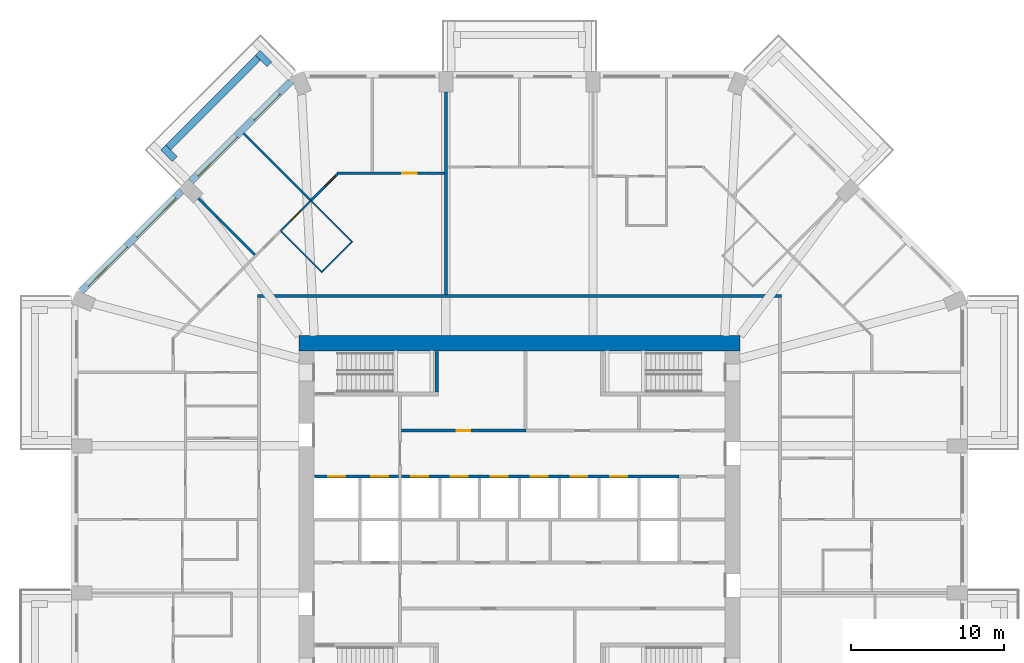
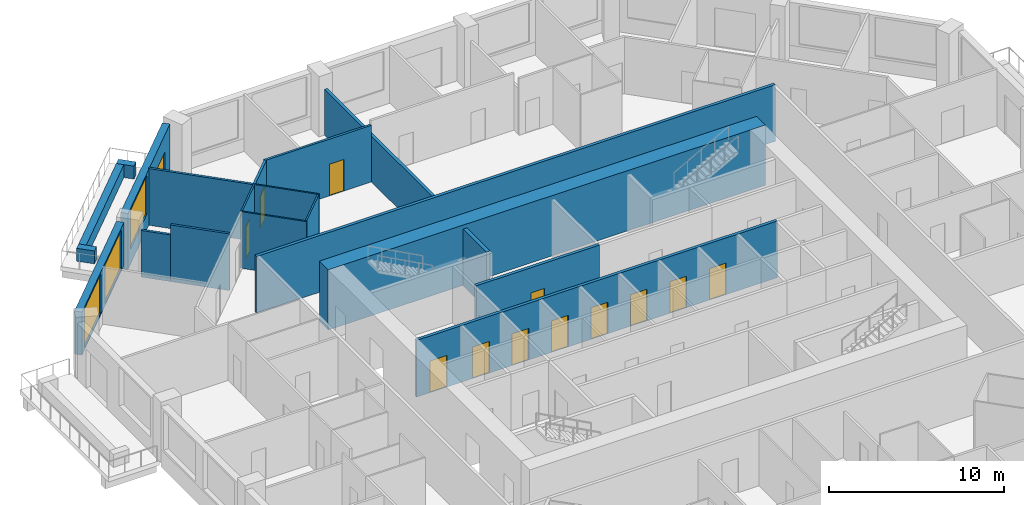
# One storey, part 8 of 13: 20 walls, 13 doors, 3 windows, 16 openings.
"""IFC4 building model written with IfcOpenShell, lengths in metres."""

import ifcopenshell
import ifcopenshell.guid

model = None  # the IFC model being written
_history = None  # IfcOwnerHistory: only IFC2X3 demands one
_inside = {}  # id of a spatial element -> (the spatial element, [elements in it])
_under = {}  # id of a project, library or spatial element -> (it, [spatial elements below it])
_declared = {}  # id of a project -> (the project, [libraries it declares])
_typed = {}  # id of a type object -> (the type object, [elements of that type])
_made_of = {}  # id of a material, layer set ... -> (it, [elements and type objects made of it])


def new_model(schema):
    """Start an empty IFC model of exactly this schema.

    Asked for "IFC4X3", IfcOpenShell would pick the latest addendum, in which some entities
    have other attributes; the version numbers below select the first issue.
    IFC2X3 requires an IfcOwnerHistory on every rooted entity: one is made here for all.
    """
    global model, _history
    if schema == "IFC4X3":
        model = ifcopenshell.file(schema_version=(4, 3, 0, 0))
    else:
        model = ifcopenshell.file(schema=schema)
    _inside.clear()
    _under.clear()
    _declared.clear()
    _typed.clear()
    _made_of.clear()
    _history = None
    if model.schema == "IFC2X3":
        org = make("IfcOrganization", Name="unknown")
        user = make(
            "IfcPersonAndOrganization",
            ThePerson=make("IfcPerson", FamilyName="unknown"),
            TheOrganization=org,
        )
        app = make(
            "IfcApplication",
            ApplicationDeveloper=org,
            Version="unknown",
            ApplicationFullName="unknown",
            ApplicationIdentifier="unknown",
        )
        _history = make(
            "IfcOwnerHistory",
            OwningUser=user,
            OwningApplication=app,
            ChangeAction="ADDED",
            CreationDate=0,
        )
    return model


def make(cls, **values):
    """One entity of the class cls with the attributes given. An attribute that is None is left unset."""
    return model.create_entity(
        cls, **{name: value for name, value in values.items() if value is not None}
    )


def rooted(cls, **values):
    """An entity with a GlobalId (a new one), such as an element, a storey or a relation."""
    return make(cls, GlobalId=ifcopenshell.guid.new(), OwnerHistory=_history, **values)


def si_unit(unit_type, name, prefix=None):
    """IfcSIUnit, for example si_unit("LENGTHUNIT", "METRE", prefix="MILLI")."""
    return make("IfcSIUnit", UnitType=unit_type, Prefix=prefix, Name=name)


def assignment(units):
    """IfcUnitAssignment: the units of a project."""
    return None if units is None else make("IfcUnitAssignment", Units=units)


def point(xyz):
    """IfcCartesianPoint."""
    return None if xyz is None else make("IfcCartesianPoint", Coordinates=xyz)


def direction(xyz):
    """IfcDirection."""
    return None if xyz is None else make("IfcDirection", DirectionRatios=xyz)


def frame(location, z_axis=None, x_axis=None):
    """IfcAxis2Placement3D, a coordinate frame: its origin and axes. An axis left out is left unset."""
    return make(
        "IfcAxis2Placement3D",
        Location=point(location),
        Axis=direction(z_axis),
        RefDirection=direction(x_axis),
    )


def frame_2d(location, x_axis=None):
    """IfcAxis2Placement2D, a coordinate frame in the plane: its origin and x axis."""
    return make(
        "IfcAxis2Placement2D", Location=point(location), RefDirection=direction(x_axis)
    )


def origin():
    """The frame at (0, 0, 0) with its axes left unset."""
    return frame((0.0, 0.0, 0.0))


def place(relative_to, where):
    """IfcLocalPlacement: puts the frame where relative to a parent placement (None: the world)."""
    return make(
        "IfcLocalPlacement", PlacementRelTo=relative_to, RelativePlacement=where
    )


def context(
    kind, dimensions, precision=None, world=None, true_north=None, identifier=None
):
    """IfcGeometricRepresentationContext, for example the 3D "Model" context."""
    return make(
        "IfcGeometricRepresentationContext",
        ContextIdentifier=identifier,
        ContextType=kind,
        CoordinateSpaceDimension=dimensions,
        Precision=precision,
        WorldCoordinateSystem=world,
        TrueNorth=true_north,
    )


def subcontext(parent, identifier, kind, view, scale=None):
    """IfcGeometricRepresentationSubContext, for example "Body" below "Model"."""
    return make(
        "IfcGeometricRepresentationSubContext",
        ContextIdentifier=identifier,
        ContextType=kind,
        ParentContext=parent,
        TargetScale=scale,
        TargetView=view,
    )


def project(units=None, contexts=None):
    """IfcProject with its units and contexts."""
    return rooted(
        "IfcProject",
        Name="project",
        RepresentationContexts=contexts,
        UnitsInContext=assignment(units),
    )


def spatial(cls, under=None, at=None, **own):
    """A site, building, storey or space (cls), placed at a placement, below another one or the project."""
    s = rooted(cls, ObjectPlacement=at, **own)
    if under is not None:
        _under.setdefault(under.id(), (under, []))[1].append(s)
    return s


def profile(cls, at=None, kind="AREA", **sizes):
    """A parametric profile (cls). Its sizes go by their IFC names, for example OverallWidth=200.0."""
    return make(cls, ProfileType=kind, Position=at, **sizes)


def rectangle(**sizes):
    """IfcRectangleProfileDef."""
    return profile("IfcRectangleProfileDef", **sizes)


def extrude(swept, where, along, depth):
    """IfcExtrudedAreaSolid: the profile swept, set in the frame where, extruded along a direction by depth."""
    return make(
        "IfcExtrudedAreaSolid",
        SweptArea=swept,
        Position=where,
        ExtrudedDirection=direction(along),
        Depth=depth,
    )


def shape(context_of_items, identifier, shape_type, items):
    """IfcShapeRepresentation: the items that make up one representation, for example the "Body"."""
    return make(
        "IfcShapeRepresentation",
        ContextOfItems=context_of_items,
        RepresentationIdentifier=identifier,
        RepresentationType=shape_type,
        Items=items,
    )


def material(Name=None, Category=None):
    """IfcMaterial."""
    return make("IfcMaterial", Name=Name, Category=Category)


def layer(
    of_material, thickness, ventilated=None, Name=None, Category=None, Priority=None
):
    """IfcMaterialLayer: one layer of a wall or slab, of a material (None: an air gap)."""
    return make(
        "IfcMaterialLayer",
        Material=of_material,
        LayerThickness=thickness,
        IsVentilated=ventilated,
        Name=Name,
        Category=Category,
        Priority=Priority,
    )


def layer_set(layers, Name=None):
    """IfcMaterialLayerSet."""
    return make("IfcMaterialLayerSet", MaterialLayers=layers, LayerSetName=Name)


def made_of(thing, what):
    """Note that an element or type object is made of a material, layer set ...; save() writes the relation."""
    if what is not None:
        _made_of.setdefault(what.id(), (what, []))[1].append(thing)
    return thing


def type_object(cls, material=None, **own):
    """A type object (cls), such as IfcWallType, which elements share."""
    return made_of(rooted(cls, **own), material)


def element(
    cls,
    number,
    at=None,
    inside=None,
    cuts=None,
    type_object=None,
    material=None,
    context=None,
    identifier="Body",
    shape_type=None,
    held_by="IfcProductDefinitionShape",
    body=None,
    shapes=None,
    **own,
):
    """One element of the class cls, such as IfcWall. Its Tag is "e" and its number.

    at: its placement. inside: the storey or other place that contains it. cuts: it is an
    opening in that element (IfcRelVoidsElement). A single representation is given by context,
    identifier, shape_type and body (its items); several are given by shapes. held_by: the class
    of the entity that holds the representations. save() writes the other relations.
    """
    e = rooted(cls, Tag="e%d" % number, ObjectPlacement=at, **own)
    if body is not None:
        shapes = [shape(context, identifier, shape_type, body)]
    if shapes is not None:
        e.Representation = make(held_by, Representations=shapes)
    if inside is not None:
        _inside.setdefault(inside.id(), (inside, []))[1].append(e)
    if cuts is not None:
        rooted(
            "IfcRelVoidsElement", RelatingBuildingElement=cuts, RelatedOpeningElement=e
        )
    if type_object is not None:
        _typed.setdefault(type_object.id(), (type_object, []))[1].append(e)
    return made_of(e, material)


def fill(opening, filler):
    """IfcRelFillsElement: the door or window that sits in an opening."""
    return rooted(
        "IfcRelFillsElement",
        RelatingOpeningElement=opening,
        RelatedBuildingElement=filler,
    )


def aggregate(whole, parts):
    """IfcRelAggregates: a whole, such as a stair, and the parts it consists of."""
    return rooted("IfcRelAggregates", RelatingObject=whole, RelatedObjects=parts)


def save(model, path):
    """Write the relations noted so far, then the file.

    IfcRelAggregates (storeys below a building ...), IfcRelContainedInSpatialStructure (elements
    in a storey), IfcRelDefinesByType, IfcRelAssociatesMaterial and IfcRelDeclares: one each for
    every whole, place, type object, material and project.
    """
    for whole, parts in _under.values():
        aggregate(whole, parts)
    for where, things in _inside.values():
        rooted(
            "IfcRelContainedInSpatialStructure",
            RelatedElements=things,
            RelatingStructure=where,
        )
    for kind, things in _typed.values():
        rooted("IfcRelDefinesByType", RelatedObjects=things, RelatingType=kind)
    for what, things in _made_of.values():
        rooted("IfcRelAssociatesMaterial", RelatedObjects=things, RelatingMaterial=what)
    for by, libraries in _declared.values():
        rooted("IfcRelDeclares", RelatingContext=by, RelatedDefinitions=libraries)
    model.write(path)


model = new_model("IFC4")

# Units and contexts
model_context = context("Model", 3, precision=1e-05, world=origin(), true_north=direction((0.0, 1.0)))
body_context = subcontext(model_context, "Body", "Model", "MODEL_VIEW")
ifc_project = project(units=[si_unit("LENGTHUNIT", "METRE"), si_unit("AREAUNIT", "SQUARE_METRE"), si_unit("VOLUMEUNIT", "CUBIC_METRE"), si_unit("PLANEANGLEUNIT", "RADIAN"), si_unit("MASSUNIT", "GRAM", prefix="KILO")], contexts=[model_context])

# Site, building, storey
site_placement = place(None, origin())
site = spatial("IfcSite", under=ifc_project, at=site_placement, CompositionType="ELEMENT")
building_placement = place(site_placement, origin())
building = spatial("IfcBuilding", under=site, at=building_placement, Name="Msitu Wima Residences", CompositionType="ELEMENT")
storey_placement = place(building_placement, frame((0.0, 0.0, 63.300048828125)))
storey = spatial("IfcBuildingStorey", under=building, at=storey_placement, Name="L14", CompositionType="ELEMENT", Elevation=63.300048828125)

# Walls
ifc_material_1 = material(Name="Facing brick")
ifc_layer_1 = layer(ifc_material_1, 0.06494140625, Name="Facing brick")
ifc_material_2 = material(Name="Concrete C40/50", Category="concrete")
ifc_layer_2 = layer(ifc_material_2, 0.156005859375, Name="Concrete C40/50")
ifc_material_3 = material(Name="Waterproofing membrane")
ifc_layer_3 = layer(ifc_material_3, 0.00390625, Name="Waterproofing membrane")
ifc_material_4 = material(Name="Planting soil and planting")
ifc_layer_4 = layer(ifc_material_4, 0.22509765625, Name="Planting soil and planting")
ifc_layer_set_1 = layer_set([ifc_layer_1, ifc_layer_2, ifc_layer_3, ifc_layer_4], Name="Concrete C40/50")
wall_type_1 = type_object("IfcWallType", Name="Balcony planter PLANTER PL450", PredefinedType="USERDEFINED", material=ifc_layer_set_1)
wall_1_placement = place(storey_placement, frame((-17.0693359375, 30.125732421875, 0.0), z_axis=(0.0, 0.0, 1.0), x_axis=(-0.707106781187, -0.707106781187, 0.0)))
element("IfcWall", 1, at=wall_1_placement, inside=storey, type_object=wall_type_1, Name="Balcony planter NW0 L14", ObjectType="PLANTER", PredefinedType="USERDEFINED", context=body_context, shape_type="SweptSolid", body=[
    extrude(rectangle(XDim=8.2822265625, YDim=0.449951171875, at=frame_2d((4.14111328125, 0.0))), origin(), (0.0, 0.0, 1.0), 0.89990234375),
])
for number, where, z_axis, x_axis, name in (
    (2, (-16.326904296875, 29.70166015625, 0.0), (0.0, 0.0, 1.0), (-0.707106781187, 0.707106781187, 0.0), "Balcony planter NW0 L14"),
    (3, (-22.50146484375, 23.52685546875, 0.0), (0.0, 0.0, 1.0), (-0.707223014731, 0.706990528533, 0.0), "Balcony planter NW0 L14"),
):
    element("IfcWall", number, at=place(storey_placement, frame(where, z_axis=z_axis, x_axis=x_axis)), inside=storey, type_object=wall_type_1, Name=name, ObjectType="PLANTER", PredefinedType="USERDEFINED", context=body_context, shape_type="SweptSolid", body=[
        extrude(rectangle(XDim=1.050048828125, YDim=0.449951171875, at=frame_2d((0.52490234375, 0.0))), origin(), (0.0, 0.0, 1.0), 0.89990234375),
    ])

# Wall, openings, door, window
ifc_material_5 = material(Name="Brick (red buff mix)", Category="masonry")
ifc_layer_5 = layer(ifc_material_5, 0.449951171875)
ifc_layer_set_2 = layer_set([ifc_layer_5], Name="Brick (red buff mix)")
wall_type_2 = type_object("IfcWallType", Name="Brick infill wall BW450", PredefinedType="SOLIDWALL", material=ifc_layer_set_2)
wall_2_placement = place(storey_placement, frame((-14.903564453125, 28.61474609375, 0.0), z_axis=(0.0, 0.0, 1.0), x_axis=(-0.707106781187, -0.707106781187, 0.0)))
wall_2 = element("IfcWall", 4, at=wall_2_placement, inside=storey, type_object=wall_type_2, Name="Brick infill wall L14 NW0", PredefinedType="SOLIDWALL", context=body_context, shape_type="SweptSolid", body=[
    extrude(rectangle(XDim=9.2451171875, YDim=0.449951171875, at=frame_2d((4.62255859375, 0.0))), origin(), (0.0, 0.0, 1.0), 3.89990234375),
])
opening_1_placement = place(wall_2_placement, frame((1.111328125, 0.0, 0.0)))
opening_1 = element("IfcOpeningElement", 5, at=opening_1_placement, cuts=wall_2, Name="Opening D13-15.005", PredefinedType="OPENING", context=body_context, shape_type="SweptSolid", body=[
    extrude(rectangle(XDim=2.39990234375, YDim=2.699951171875, at=frame_2d((1.199951171875, 1.35009765625))), frame((0.0, 0.23486328125, 0.0), z_axis=(0.0, -1.0, 0.0), x_axis=(1.0, 0.0, 0.0)), (0.0, 0.0, 1.0), 0.469970703125),
])
opening_2_placement = place(wall_2_placement, frame((5.072509765625, 0.0, 1.050048828125)))
opening_2 = element("IfcOpeningElement", 6, at=opening_2_placement, cuts=wall_2, Name="Opening W13-15.013", PredefinedType="OPENING", context=body_context, shape_type="SweptSolid", body=[
    extrude(rectangle(XDim=3.60009765625, YDim=2.699951171875, at=frame_2d((1.800048828125, 1.35009765625))), frame((0.0, 0.23486328125, 0.0), z_axis=(0.0, -1.0, 0.0), x_axis=(1.0, 0.0, 0.0)), (0.0, 0.0, 1.0), 0.469970703125),
])
ifc_material_6 = material(Name="Anodised aluminium, bronze finish, clear low-emissivity double glazing", Category="aluminium")
door_type_1 = type_object("IfcDoorType", Name="Balcony door D2400x2700", OperationType="SLIDING_TO_LEFT", PredefinedType="DOOR", material=ifc_material_6)
door_1_placement = place(opening_1_placement, origin())
door_1 = element("IfcDoor", 7, at=door_1_placement, inside=storey, type_object=door_type_1, Name="Balcony door L14 NW0", OperationType="SINGLE_SWING_LEFT", OverallHeight=2.699951171875, OverallWidth=2.39990234375, PredefinedType="DOOR", context=body_context, shape_type="SweptSolid", body=[
    extrude(rectangle(XDim=2.39990234375, YDim=2.699951171875, at=frame_2d((1.199951171875, 1.35009765625))), frame((0.0, 0.1298828125, 0.0), z_axis=(0.0, -1.0, 0.0), x_axis=(1.0, 0.0, 0.0)), (0.0, 0.0, 1.0), 0.050048828125),
])
fill(opening_1, door_1)
window_type = type_object("IfcWindowType", Name="Window W3600x2700", PartitioningType="DOUBLE_PANEL_VERTICAL", PredefinedType="WINDOW", material=ifc_material_6)
window_1_placement = place(opening_2_placement, origin())
window_1 = element("IfcWindow", 8, at=window_1_placement, inside=storey, type_object=window_type, Name="Window L14 NW0.2", OverallHeight=2.699951171875, OverallWidth=3.60009765625, PartitioningType="SINGLE_PANEL", PredefinedType="WINDOW", context=body_context, shape_type="SweptSolid", body=[
    extrude(rectangle(XDim=3.60009765625, YDim=2.699951171875, at=frame_2d((1.800048828125, 1.35009765625))), frame((0.0, 0.135009765625, 0.0), z_axis=(0.0, -1.0, 0.0), x_axis=(1.0, 0.0, 0.0)), (0.0, 0.0, 1.0), 0.06005859375),
])
fill(opening_2, window_1)

# Wall, openings, windows
wall_3_placement = place(storey_placement, frame((-22.077392578125, 21.44091796875, 0.89990234375), z_axis=(0.0, 0.0, 1.0), x_axis=(-0.707106781187, -0.707106781187, 0.0)))
wall_3 = element("IfcWall", 9, at=wall_3_placement, inside=storey, type_object=wall_type_2, Name="Brick infill wall L14 NW1", PredefinedType="SOLIDWALL", context=body_context, shape_type="SweptSolid", body=[
    extrude(rectangle(XDim=9.2451171875, YDim=0.449951171875, at=frame_2d((4.62255859375, 0.0))), origin(), (0.0, 0.0, 1.0), 3.0),
])
opening_3_placement = place(wall_3_placement, frame((0.572509765625, 0.0, 0.14990234375)))
opening_3 = element("IfcOpeningElement", 10, at=opening_3_placement, cuts=wall_3, Name="Opening W13-15.014", PredefinedType="OPENING", context=body_context, shape_type="SweptSolid", body=[
    extrude(rectangle(XDim=3.60009765625, YDim=2.699951171875, at=frame_2d((1.800048828125, 1.35009765625))), frame((0.0, 0.23486328125, 0.0), z_axis=(0.0, -1.0, 0.0), x_axis=(1.0, 0.0, 0.0)), (0.0, 0.0, 1.0), 0.469970703125),
])
opening_4_placement = place(wall_3_placement, frame((5.072509765625, 0.0, 0.14990234375)))
opening_4 = element("IfcOpeningElement", 11, at=opening_4_placement, cuts=wall_3, Name="Opening W13-15.015", PredefinedType="OPENING", context=body_context, shape_type="SweptSolid", body=[
    extrude(rectangle(XDim=3.60009765625, YDim=2.699951171875, at=frame_2d((1.800048828125, 1.35009765625))), frame((0.0, 0.23486328125, 0.0), z_axis=(0.0, -1.0, 0.0), x_axis=(1.0, 0.0, 0.0)), (0.0, 0.0, 1.0), 0.469970703125),
])
window_2_placement = place(opening_3_placement, origin())
window_2 = element("IfcWindow", 12, at=window_2_placement, inside=storey, type_object=window_type, Name="Window L14 NW1.1", OverallHeight=2.699951171875, OverallWidth=3.60009765625, PartitioningType="SINGLE_PANEL", PredefinedType="WINDOW", context=body_context, shape_type="SweptSolid", body=[
    extrude(rectangle(XDim=3.60009765625, YDim=2.699951171875, at=frame_2d((1.800048828125, 1.35009765625))), frame((0.0, 0.135009765625, 0.0), z_axis=(0.0, -1.0, 0.0), x_axis=(1.0, 0.0, 0.0)), (0.0, 0.0, 1.0), 0.06005859375),
])
fill(opening_3, window_2)
window_3_placement = place(opening_4_placement, origin())
window_3 = element("IfcWindow", 13, at=window_3_placement, inside=storey, type_object=window_type, Name="Window L14 NW1.2", OverallHeight=2.699951171875, OverallWidth=3.60009765625, PartitioningType="SINGLE_PANEL", PredefinedType="WINDOW", context=body_context, shape_type="SweptSolid", body=[
    extrude(rectangle(XDim=3.60009765625, YDim=2.699951171875, at=frame_2d((1.800048828125, 1.35009765625))), frame((0.0, 0.135009765625, 0.0), z_axis=(0.0, -1.0, 0.0), x_axis=(1.0, 0.0, 0.0)), (0.0, 0.0, 1.0), 0.06005859375),
])
fill(opening_4, window_3)

# Walls
ifc_material_7 = material(Name="Concrete C80/95", Category="concrete")
ifc_layer_6 = layer(ifc_material_7, 1.0)
ifc_layer_set_3 = layer_set([ifc_layer_6], Name="Concrete C80/95")
wall_type_3 = type_object("IfcWallType", Name="Core wall CW1000 C80/95", PredefinedType="SHEAR", material=ifc_layer_set_3)
wall_4_placement = place(storey_placement, frame((-14.39990234375, 11.5, 0.0), z_axis=(0.0, 0.0, 1.0), x_axis=(1.0, 0.0, 0.0)))
element("IfcWall", 14, at=wall_4_placement, inside=storey, type_object=wall_type_3, Name="Core wall", PredefinedType="SHEAR", context=body_context, shape_type="SweptSolid", body=[
    extrude(rectangle(XDim=28.7998046875, YDim=1.0, at=frame_2d((14.39990234375, 0.0))), origin(), (0.0, 0.0, 1.0), 4.199951171875),
])
ifc_material_8 = material(Name="Plaster")
ifc_layer_7 = layer(ifc_material_8, 0.011962890625, Name="Plaster")
ifc_material_9 = material(Name="Concrete blockwork", Category="masonry")
ifc_layer_8 = layer(ifc_material_9, 0.176025390625, Name="Concrete blockwork")
ifc_layer_9 = layer(ifc_material_8, 0.011962890625, Name="Plaster")
ifc_layer_set_4 = layer_set([ifc_layer_7, ifc_layer_8, ifc_layer_9], Name="Concrete blockwork")
wall_type_4 = type_object("IfcWallType", Name="Corridor wall FW200", PredefinedType="PARTITIONING", material=ifc_layer_set_4)
wall_5_placement = place(storey_placement, frame((-17.10009765625, 14.60009765625, 0.0), z_axis=(0.0, 0.0, 1.0), x_axis=(1.0, 0.0, 0.0)))
element("IfcWall", 15, at=wall_5_placement, inside=storey, type_object=wall_type_4, Name="Corridor wall", PredefinedType="PARTITIONING", context=body_context, shape_type="SweptSolid", body=[
    extrude(rectangle(XDim=34.2001953125, YDim=0.199951171875, at=frame_2d((17.10009765625, 0.0))), origin(), (0.0, 0.0, 1.0), 3.949951171875),
])

# Wall, opening, door
wall_6_placement = place(storey_placement, frame((-7.699951171875, 5.800048828125, 0.0), z_axis=(0.0, 0.0, 1.0), x_axis=(1.0, 0.0, 0.0)))
wall_6 = element("IfcWall", 16, at=wall_6_placement, inside=storey, type_object=wall_type_4, Name="Corridor wall", PredefinedType="PARTITIONING", context=body_context, shape_type="SweptSolid", body=[
    extrude(rectangle(XDim=8.119873046875, YDim=0.199951171875, at=frame_2d((4.06005859375, 0.0))), origin(), (0.0, 0.0, 1.0), 3.949951171875),
])
opening_5_placement = place(wall_6_placement, frame((3.60009765625, 0.0, 0.0)))
opening_5 = element("IfcOpeningElement", 17, at=opening_5_placement, cuts=wall_6, Name="Opening D13-15.019", PredefinedType="OPENING", context=body_context, shape_type="SweptSolid", body=[
    extrude(rectangle(XDim=0.89990234375, YDim=2.199951171875, at=frame_2d((0.449951171875, 1.10009765625))), frame((0.0, 0.10986328125, 0.0), z_axis=(0.0, -1.0, 0.0), x_axis=(1.0, 0.0, 0.0)), (0.0, 0.0, 1.0), 0.219970703125),
])
ifc_material_10 = material(Name="Timber flush door", Category="wood")
door_type_2 = type_object("IfcDoorType", Name="Service door D05 900x2200", OperationType="SINGLE_SWING_LEFT", PredefinedType="DOOR", material=ifc_material_10)
door_2_placement = place(opening_5_placement, origin())
door_2 = element("IfcDoor", 18, at=door_2_placement, inside=storey, type_object=door_type_2, Name="Service door", OperationType="SINGLE_SWING_LEFT", OverallHeight=2.199951171875, OverallWidth=0.89990234375, PredefinedType="DOOR", context=body_context, shape_type="SweptSolid", body=[
    extrude(rectangle(XDim=0.89990234375, YDim=2.199951171875, at=frame_2d((0.449951171875, 1.10009765625))), frame((0.0, 0.02490234375, 0.0), z_axis=(0.0, -1.0, 0.0), x_axis=(1.0, 0.0, 0.0)), (0.0, 0.0, 1.0), 0.050048828125),
])
fill(opening_5, door_2)

# Walls
ifc_layer_10 = layer(ifc_material_8, 0.011962890625, Name="Plaster")
ifc_layer_11 = layer(ifc_material_9, 0.1259765625, Name="Concrete blockwork")
ifc_layer_12 = layer(ifc_material_8, 0.011962890625, Name="Plaster")
ifc_layer_set_5 = layer_set([ifc_layer_10, ifc_layer_11, ifc_layer_12], Name="Concrete blockwork")
wall_type_5 = type_object("IfcWallType", Name="Partition PW150", PredefinedType="PARTITIONING", material=ifc_layer_set_5)
wall_7_placement = place(storey_placement, frame((-20.963623046875, 20.963623046875, 0.0), z_axis=(0.0, 0.0, 1.0), x_axis=(0.707106781187, -0.707106781187, 0.0)))
element("IfcWall", 19, at=wall_7_placement, inside=storey, type_object=wall_type_5, Name="Partition", PredefinedType="PARTITIONING", context=body_context, shape_type="SweptSolid", body=[
    extrude(rectangle(XDim=1.74853515625, YDim=0.14990234375, at=frame_2d((0.874267578125, 0.0))), origin(), (0.0, 0.0, 1.0), 3.25),
])
wall_8_placement = place(storey_placement, frame((-19.727294921875, 19.727294921875, 0.0), z_axis=(0.0, 0.0, 1.0), x_axis=(0.707106781187, -0.707106781187, 0.0)))
element("IfcWall", 20, at=wall_8_placement, inside=storey, type_object=wall_type_5, Name="Partition", PredefinedType="PARTITIONING", context=body_context, shape_type="SweptSolid", body=[
    extrude(rectangle(XDim=3.4765625, YDim=0.14990234375, at=frame_2d((1.73828125, 0.0))), origin(), (0.0, 0.0, 1.0), 3.949951171875),
])
wall_9_placement = place(storey_placement, frame((-18.017578125, 25.2177734375, 0.0), z_axis=(0.0, 0.0, 1.0), x_axis=(0.707087234081, -0.707126327752, 0.0)))
element("IfcWall", 21, at=wall_9_placement, inside=storey, type_object=wall_type_5, Name="Partition", PredefinedType="PARTITIONING", context=body_context, shape_type="SweptSolid", body=[
    extrude(rectangle(XDim=6.2451171875, YDim=0.14990234375, at=frame_2d((3.12255859375, 0.0))), origin(), (0.0, 0.0, 1.0), 3.949951171875),
])

# Wall, opening, door
wall_10_placement = place(storey_placement, frame((-13.601806640625, 20.830078125, 0.0), z_axis=(0.0, 0.0, 1.0), x_axis=(0.707106781187, 0.707106781187, 0.0)))
wall_10 = element("IfcWall", 22, at=wall_10_placement, inside=storey, type_object=wall_type_5, Name="Partition", PredefinedType="PARTITIONING", context=body_context, shape_type="SweptSolid", body=[
    extrude(rectangle(XDim=2.427978515625, YDim=0.14990234375, at=frame_2d((1.2138671875, 0.0))), origin(), (0.0, 0.0, 1.0), 3.949951171875),
])
opening_6_placement = place(wall_10_placement, frame((1.300048828125, 0.0, 0.0)))
opening_6 = element("IfcOpeningElement", 23, at=opening_6_placement, cuts=wall_10, Name="Opening D13-15.063", PredefinedType="OPENING", context=body_context, shape_type="SweptSolid", body=[
    extrude(rectangle(XDim=0.949951171875, YDim=2.199951171875, at=frame_2d((0.47509765625, 1.10009765625))), frame((0.0, 0.0849609375, 0.0), z_axis=(0.0, -1.0, 0.0), x_axis=(1.0, 0.0, 0.0)), (0.0, 0.0, 1.0), 0.169921875),
])
door_type_3 = type_object("IfcDoorType", Name="Room door D12 950x2200", OperationType="SINGLE_SWING_LEFT", PredefinedType="DOOR", material=ifc_material_10)
door_3_placement = place(opening_6_placement, origin())
door_3 = element("IfcDoor", 24, at=door_3_placement, inside=storey, type_object=door_type_3, Name="Room door", OperationType="SINGLE_SWING_LEFT", OverallHeight=2.199951171875, OverallWidth=0.949951171875, PredefinedType="DOOR", context=body_context, shape_type="SweptSolid", body=[
    extrude(rectangle(XDim=0.949951171875, YDim=2.199951171875, at=frame_2d((0.47509765625, 1.10009765625))), frame((0.0, 0.02490234375, 0.0), z_axis=(0.0, -1.0, 0.0), x_axis=(1.0, 0.0, 0.0)), (0.0, 0.0, 1.0), 0.050048828125),
])
fill(opening_6, door_3)

wall_11_placement = place(storey_placement, frame((-11.906982421875, 22.60009765625, 0.0), z_axis=(0.0, 0.0, 1.0), x_axis=(1.0, 0.0, 0.0)))
wall_11 = element("IfcWall", 25, at=wall_11_placement, inside=storey, type_object=wall_type_5, Name="Partition", PredefinedType="PARTITIONING", context=body_context, shape_type="SweptSolid", body=[
    extrude(rectangle(XDim=7.007080078125, YDim=0.14990234375, at=frame_2d((3.50341796875, 0.0))), origin(), (0.0, 0.0, 1.0), 3.949951171875),
])
opening_7_placement = place(wall_11_placement, frame((4.25, 0.0, 0.0)))
opening_7 = element("IfcOpeningElement", 26, at=opening_7_placement, cuts=wall_11, Name="Opening D13-15.058", PredefinedType="OPENING", context=body_context, shape_type="SweptSolid", body=[
    extrude(rectangle(XDim=0.949951171875, YDim=2.199951171875, at=frame_2d((0.47509765625, 1.10009765625))), frame((0.0, 0.0849609375, 0.0), z_axis=(0.0, -1.0, 0.0), x_axis=(1.0, 0.0, 0.0)), (0.0, 0.0, 1.0), 0.169921875),
])
door_4_placement = place(opening_7_placement, origin())
door_4 = element("IfcDoor", 27, at=door_4_placement, inside=storey, type_object=door_type_3, Name="Room door", OperationType="SINGLE_SWING_RIGHT", OverallHeight=2.199951171875, OverallWidth=0.949951171875, PredefinedType="DOOR", context=body_context, shape_type="SweptSolid", body=[
    extrude(rectangle(XDim=0.949951171875, YDim=2.199951171875, at=frame_2d((0.47509765625, 1.10009765625))), frame((0.0, 0.02490234375, 0.0), z_axis=(0.0, -1.0, 0.0), x_axis=(1.0, 0.0, 0.0)), (0.0, 0.0, 1.0), 0.050048828125),
])
fill(opening_7, door_4)

# Wall
ifc_layer_13 = layer(ifc_material_8, 0.011962890625, Name="Plaster")
ifc_material_11 = material(Name="Dense concrete blockwork", Category="masonry")
ifc_layer_14 = layer(ifc_material_11, 0.176025390625, Name="Dense concrete blockwork")
ifc_layer_15 = layer(ifc_material_8, 0.011962890625, Name="Plaster")
ifc_layer_set_6 = layer_set([ifc_layer_13, ifc_layer_14, ifc_layer_15], Name="Dense concrete blockwork")
wall_type_6 = type_object("IfcWallType", Name="Party wall PW200", PredefinedType="PARTITIONING", material=ifc_layer_set_6)
wall_12_placement = place(storey_placement, frame((-4.800048828125, 14.699951171875, 0.0), z_axis=(0.0, 0.0, 1.0), x_axis=(0.0, 1.0, 0.0)))
element("IfcWall", 28, at=wall_12_placement, inside=storey, type_object=wall_type_6, Name="Party wall", PredefinedType="PARTITIONING", context=body_context, shape_type="SweptSolid", body=[
    extrude(rectangle(XDim=13.199951171875, YDim=0.199951171875, at=frame_2d((6.60009765625, 0.0))), origin(), (0.0, 0.0, 1.0), 3.199951171875),
])

# Wall, openings, doors
ifc_material_12 = material(Name="Fire-rated board")
ifc_layer_16 = layer(ifc_material_12, 0.02490234375, Name="Fire-rated board")
ifc_material_13 = material(Name="Light-gauge stud framing with mineral wool")
ifc_layer_17 = layer(ifc_material_13, 0.14990234375, Name="Light-gauge stud framing with mineral wool")
ifc_layer_18 = layer(ifc_material_12, 0.02490234375, Name="Fire-rated board")
ifc_layer_set_7 = layer_set([ifc_layer_16, ifc_layer_17, ifc_layer_18], Name="Light-gauge stud framing with mineral wool")
wall_type_7 = type_object("IfcWallType", Name="Shaft wall SH200", PredefinedType="PARTITIONING", material=ifc_layer_set_7)
wall_13_placement = place(storey_placement, frame((-13.3701171875, 2.800048828125, 0.0), z_axis=(0.0, 0.0, 1.0), x_axis=(1.0, 0.0, 0.0)))
wall_13 = element("IfcWall", 29, at=wall_13_placement, inside=storey, type_object=wall_type_7, Name="Shaft wall", PredefinedType="PARTITIONING", context=body_context, shape_type="SweptSolid", body=[
    extrude(rectangle(XDim=23.77001953125, YDim=0.199951171875, at=frame_2d((11.885009765625, 0.0))), origin(), (0.0, 0.0, 1.0), 3.949951171875),
])
opening_8_placement = place(wall_13_placement, frame((0.89990234375, 0.0, 0.0)))
opening_8 = element("IfcOpeningElement", 30, at=opening_8_placement, cuts=wall_13, Name="Opening LD", PredefinedType="OPENING", context=body_context, shape_type="SweptSolid", body=[
    extrude(rectangle(XDim=1.10009765625, YDim=2.199951171875, at=frame_2d((0.550048828125, 1.10009765625))), frame((0.0, 0.10986328125, 0.0), z_axis=(0.0, -1.0, 0.0), x_axis=(1.0, 0.0, 0.0)), (0.0, 0.0, 1.0), 0.219970703125),
])
opening_9_placement = place(wall_13_placement, frame((3.699951171875, 0.0, 0.0)))
opening_9 = element("IfcOpeningElement", 31, at=opening_9_placement, cuts=wall_13, Name="Opening LD", PredefinedType="OPENING", context=body_context, shape_type="SweptSolid", body=[
    extrude(rectangle(XDim=1.10009765625, YDim=2.199951171875, at=frame_2d((0.550048828125, 1.10009765625))), frame((0.0, 0.10986328125, 0.0), z_axis=(0.0, -1.0, 0.0), x_axis=(1.0, 0.0, 0.0)), (0.0, 0.0, 1.0), 0.219970703125),
])
opening_10_placement = place(wall_13_placement, frame((6.300048828125, 0.0, 0.0)))
opening_10 = element("IfcOpeningElement", 32, at=opening_10_placement, cuts=wall_13, Name="Opening LD", PredefinedType="OPENING", context=body_context, shape_type="SweptSolid", body=[
    extrude(rectangle(XDim=1.10009765625, YDim=2.199951171875, at=frame_2d((0.550048828125, 1.10009765625))), frame((0.0, 0.10986328125, 0.0), z_axis=(0.0, -1.0, 0.0), x_axis=(1.0, 0.0, 0.0)), (0.0, 0.0, 1.0), 0.219970703125),
])
opening_11_placement = place(wall_13_placement, frame((8.89990234375, 0.0, 0.0)))
opening_11 = element("IfcOpeningElement", 33, at=opening_11_placement, cuts=wall_13, Name="Opening LD", PredefinedType="OPENING", context=body_context, shape_type="SweptSolid", body=[
    extrude(rectangle(XDim=1.10009765625, YDim=2.199951171875, at=frame_2d((0.550048828125, 1.10009765625))), frame((0.0, 0.10986328125, 0.0), z_axis=(0.0, -1.0, 0.0), x_axis=(1.0, 0.0, 0.0)), (0.0, 0.0, 1.0), 0.219970703125),
])
opening_12_placement = place(wall_13_placement, frame((11.5, 0.0, 0.0)))
opening_12 = element("IfcOpeningElement", 34, at=opening_12_placement, cuts=wall_13, Name="Opening LD", PredefinedType="OPENING", context=body_context, shape_type="SweptSolid", body=[
    extrude(rectangle(XDim=1.10009765625, YDim=2.199951171875, at=frame_2d((0.550048828125, 1.10009765625))), frame((0.0, 0.10986328125, 0.0), z_axis=(0.0, -1.0, 0.0), x_axis=(1.0, 0.0, 0.0)), (0.0, 0.0, 1.0), 0.219970703125),
])
opening_13_placement = place(wall_13_placement, frame((14.10009765625, 0.0, 0.0)))
opening_13 = element("IfcOpeningElement", 35, at=opening_13_placement, cuts=wall_13, Name="Opening LD", PredefinedType="OPENING", context=body_context, shape_type="SweptSolid", body=[
    extrude(rectangle(XDim=1.10009765625, YDim=2.199951171875, at=frame_2d((0.550048828125, 1.10009765625))), frame((0.0, 0.10986328125, 0.0), z_axis=(0.0, -1.0, 0.0), x_axis=(1.0, 0.0, 0.0)), (0.0, 0.0, 1.0), 0.219970703125),
])
opening_14_placement = place(wall_13_placement, frame((16.699951171875, 0.0, 0.0)))
opening_14 = element("IfcOpeningElement", 36, at=opening_14_placement, cuts=wall_13, Name="Opening LD", PredefinedType="OPENING", context=body_context, shape_type="SweptSolid", body=[
    extrude(rectangle(XDim=1.10009765625, YDim=2.199951171875, at=frame_2d((0.550048828125, 1.10009765625))), frame((0.0, 0.10986328125, 0.0), z_axis=(0.0, -1.0, 0.0), x_axis=(1.0, 0.0, 0.0)), (0.0, 0.0, 1.0), 0.219970703125),
])
opening_15_placement = place(wall_13_placement, frame((19.300048828125, 0.0, 0.0)))
opening_15 = element("IfcOpeningElement", 37, at=opening_15_placement, cuts=wall_13, Name="Opening LD", PredefinedType="OPENING", context=body_context, shape_type="SweptSolid", body=[
    extrude(rectangle(XDim=1.10009765625, YDim=2.199951171875, at=frame_2d((0.550048828125, 1.10009765625))), frame((0.0, 0.10986328125, 0.0), z_axis=(0.0, -1.0, 0.0), x_axis=(1.0, 0.0, 0.0)), (0.0, 0.0, 1.0), 0.219970703125),
])
ifc_material_14 = material(Name="Stainless steel centre-opening landing door, rated", Category="steel")
door_type_4 = type_object("IfcDoorType", Name="Lift landing door LD 1100x2200", OperationType="DOUBLE_DOOR_SLIDING", PredefinedType="DOOR", material=ifc_material_14)
door_5_placement = place(opening_8_placement, origin())
door_5 = element("IfcDoor", 38, at=door_5_placement, inside=storey, type_object=door_type_4, Name="Lift landing door LD1", OperationType="DOUBLE_DOOR_SLIDING", OverallHeight=2.199951171875, OverallWidth=1.10009765625, PredefinedType="DOOR", context=body_context, shape_type="SweptSolid", body=[
    extrude(rectangle(XDim=1.10009765625, YDim=2.199951171875, at=frame_2d((0.550048828125, 1.10009765625))), frame((0.0, 0.02490234375, 0.0), z_axis=(0.0, -1.0, 0.0), x_axis=(1.0, 0.0, 0.0)), (0.0, 0.0, 1.0), 0.050048828125),
])
fill(opening_8, door_5)
door_6_placement = place(opening_9_placement, origin())
door_6 = element("IfcDoor", 39, at=door_6_placement, inside=storey, type_object=door_type_4, Name="Lift landing door LD2", OperationType="DOUBLE_DOOR_SLIDING", OverallHeight=2.199951171875, OverallWidth=1.10009765625, PredefinedType="DOOR", context=body_context, shape_type="SweptSolid", body=[
    extrude(rectangle(XDim=1.10009765625, YDim=2.199951171875, at=frame_2d((0.550048828125, 1.10009765625))), frame((0.0, 0.02490234375, 0.0), z_axis=(0.0, -1.0, 0.0), x_axis=(1.0, 0.0, 0.0)), (0.0, 0.0, 1.0), 0.050048828125),
])
fill(opening_9, door_6)
door_7_placement = place(opening_10_placement, origin())
door_7 = element("IfcDoor", 40, at=door_7_placement, inside=storey, type_object=door_type_4, Name="Lift landing door LD4", OperationType="DOUBLE_DOOR_SLIDING", OverallHeight=2.199951171875, OverallWidth=1.10009765625, PredefinedType="DOOR", context=body_context, shape_type="SweptSolid", body=[
    extrude(rectangle(XDim=1.10009765625, YDim=2.199951171875, at=frame_2d((0.550048828125, 1.10009765625))), frame((0.0, 0.02490234375, 0.0), z_axis=(0.0, -1.0, 0.0), x_axis=(1.0, 0.0, 0.0)), (0.0, 0.0, 1.0), 0.050048828125),
])
fill(opening_10, door_7)
door_8_placement = place(opening_11_placement, origin())
door_8 = element("IfcDoor", 41, at=door_8_placement, inside=storey, type_object=door_type_4, Name="Lift landing door LD6", OperationType="DOUBLE_DOOR_SLIDING", OverallHeight=2.199951171875, OverallWidth=1.10009765625, PredefinedType="DOOR", context=body_context, shape_type="SweptSolid", body=[
    extrude(rectangle(XDim=1.10009765625, YDim=2.199951171875, at=frame_2d((0.550048828125, 1.10009765625))), frame((0.0, 0.02490234375, 0.0), z_axis=(0.0, -1.0, 0.0), x_axis=(1.0, 0.0, 0.0)), (0.0, 0.0, 1.0), 0.050048828125),
])
fill(opening_11, door_8)
door_9_placement = place(opening_12_placement, origin())
door_9 = element("IfcDoor", 42, at=door_9_placement, inside=storey, type_object=door_type_4, Name="Lift landing door LD8", OperationType="DOUBLE_DOOR_SLIDING", OverallHeight=2.199951171875, OverallWidth=1.10009765625, PredefinedType="DOOR", context=body_context, shape_type="SweptSolid", body=[
    extrude(rectangle(XDim=1.10009765625, YDim=2.199951171875, at=frame_2d((0.550048828125, 1.10009765625))), frame((0.0, 0.02490234375, 0.0), z_axis=(0.0, -1.0, 0.0), x_axis=(1.0, 0.0, 0.0)), (0.0, 0.0, 1.0), 0.050048828125),
])
fill(opening_12, door_9)
door_10_placement = place(opening_13_placement, origin())
door_10 = element("IfcDoor", 43, at=door_10_placement, inside=storey, type_object=door_type_4, Name="Lift landing door LD10", OperationType="DOUBLE_DOOR_SLIDING", OverallHeight=2.199951171875, OverallWidth=1.10009765625, PredefinedType="DOOR", context=body_context, shape_type="SweptSolid", body=[
    extrude(rectangle(XDim=1.10009765625, YDim=2.199951171875, at=frame_2d((0.550048828125, 1.10009765625))), frame((0.0, 0.02490234375, 0.0), z_axis=(0.0, -1.0, 0.0), x_axis=(1.0, 0.0, 0.0)), (0.0, 0.0, 1.0), 0.050048828125),
])
fill(opening_13, door_10)
door_11_placement = place(opening_14_placement, origin())
door_11 = element("IfcDoor", 44, at=door_11_placement, inside=storey, type_object=door_type_4, Name="Lift landing door LD12", OperationType="DOUBLE_DOOR_SLIDING", OverallHeight=2.199951171875, OverallWidth=1.10009765625, PredefinedType="DOOR", context=body_context, shape_type="SweptSolid", body=[
    extrude(rectangle(XDim=1.10009765625, YDim=2.199951171875, at=frame_2d((0.550048828125, 1.10009765625))), frame((0.0, 0.02490234375, 0.0), z_axis=(0.0, -1.0, 0.0), x_axis=(1.0, 0.0, 0.0)), (0.0, 0.0, 1.0), 0.050048828125),
])
fill(opening_14, door_11)
door_12_placement = place(opening_15_placement, origin())
door_12 = element("IfcDoor", 45, at=door_12_placement, inside=storey, type_object=door_type_4, Name="Lift landing door LD14", OperationType="DOUBLE_DOOR_SLIDING", OverallHeight=2.199951171875, OverallWidth=1.10009765625, PredefinedType="DOOR", context=body_context, shape_type="SweptSolid", body=[
    extrude(rectangle(XDim=1.10009765625, YDim=2.199951171875, at=frame_2d((0.550048828125, 1.10009765625))), frame((0.0, 0.02490234375, 0.0), z_axis=(0.0, -1.0, 0.0), x_axis=(1.0, 0.0, 0.0)), (0.0, 0.0, 1.0), 0.050048828125),
])
fill(opening_15, door_12)

# Wall
ifc_material_15 = material(Name="Concrete C50/60", Category="concrete")
ifc_layer_19 = layer(ifc_material_15, 0.25)
ifc_layer_set_8 = layer_set([ifc_layer_19], Name="Concrete C50/60")
wall_type_8 = type_object("IfcWallType", Name="Stair enclosure wall SW250", PredefinedType="SHEAR", material=ifc_layer_set_8)
wall_14_placement = place(storey_placement, frame((-5.39990234375, 8.324951171875, 0.0), z_axis=(0.0, 0.0, 1.0), x_axis=(0.0, 1.0, 0.0)))
element("IfcWall", 46, at=wall_14_placement, inside=storey, type_object=wall_type_8, Name="Stair enclosure wall", PredefinedType="SHEAR", context=body_context, shape_type="SweptSolid", body=[
    extrude(rectangle(XDim=2.64501953125, YDim=0.25, at=frame_2d((1.322509765625, 0.0))), origin(), (0.0, 0.0, 1.0), 3.949951171875),
])

# Wall, opening, door
ifc_material_16 = material(Name="Ceramic tiles")
ifc_layer_20 = layer(ifc_material_16, 0.008056640625, Name="Ceramic tiles")
ifc_material_17 = material(Name="Moisture-resistant board")
ifc_layer_21 = layer(ifc_material_17, 0.012451171875, Name="Moisture-resistant board")
ifc_layer_22 = layer(ifc_material_13, 0.06689453125, Name="Light-gauge stud framing with mineral wool")
ifc_layer_23 = layer(ifc_material_17, 0.012451171875, Name="Moisture-resistant board")
ifc_layer_set_9 = layer_set([ifc_layer_20, ifc_layer_21, ifc_layer_22, ifc_layer_23], Name="Light-gauge stud framing with mineral wool")
wall_type_9 = type_object("IfcWallType", Name="Wet wall PW100", PredefinedType="PARTITIONING", material=ifc_layer_set_9)
wall_15_placement = place(storey_placement, frame((-15.595947265625, 18.8359375, 0.0), z_axis=(0.0, 0.0, 1.0), x_axis=(0.707106781187, 0.707106781187, 0.0)))
wall_15 = element("IfcWall", 47, at=wall_15_placement, inside=storey, type_object=wall_type_9, Name="Wet wall", PredefinedType="PARTITIONING", context=body_context, shape_type="SweptSolid", body=[
    extrude(rectangle(XDim=2.820068359375, YDim=0.10009765625, at=frame_2d((1.41015625, 0.0))), origin(), (0.0, 0.0, 1.0), 3.949951171875),
])
opening_16_placement = place(wall_15_placement, frame((0.949951171875, 0.0, 0.0)))
opening_16 = element("IfcOpeningElement", 48, at=opening_16_placement, cuts=wall_15, Name="Opening D13-15.062", PredefinedType="OPENING", context=body_context, shape_type="SweptSolid", body=[
    extrude(rectangle(XDim=0.89990234375, YDim=2.199951171875, at=frame_2d((0.449951171875, 1.10009765625))), frame((0.0, 0.06005859375, 0.0), z_axis=(0.0, -1.0, 0.0), x_axis=(1.0, 0.0, 0.0)), (0.0, 0.0, 1.0), 0.1201171875),
])
ifc_material_18 = material(Name="Timber flush door, moisture resistant", Category="wood")
door_type_5 = type_object("IfcDoorType", Name="Bathroom door D03 900x2200", OperationType="SINGLE_SWING_LEFT", PredefinedType="DOOR", material=ifc_material_18)
door_13_placement = place(opening_16_placement, origin())
door_13 = element("IfcDoor", 49, at=door_13_placement, inside=storey, type_object=door_type_5, Name="Bathroom door", OperationType="SINGLE_SWING_RIGHT", OverallHeight=2.199951171875, OverallWidth=0.89990234375, PredefinedType="DOOR", context=body_context, shape_type="SweptSolid", body=[
    extrude(rectangle(XDim=0.89990234375, YDim=2.199951171875, at=frame_2d((0.449951171875, 1.10009765625))), frame((0.0, 0.02490234375, 0.0), z_axis=(0.0, -1.0, 0.0), x_axis=(1.0, 0.0, 0.0)), (0.0, 0.0, 1.0), 0.050048828125),
])
fill(opening_16, door_13)

# Walls
wall_16_placement = place(storey_placement, frame((-15.560546875, 18.80078125, 0.0), z_axis=(0.0, 0.0, 1.0), x_axis=(0.707106781187, -0.707106781187, 0.0)))
element("IfcWall", 50, at=wall_16_placement, inside=storey, type_object=wall_type_9, Name="Wet wall", PredefinedType="PARTITIONING", context=body_context, shape_type="SweptSolid", body=[
    extrude(rectangle(XDim=3.800048828125, YDim=0.10009765625, at=frame_2d((1.89990234375, 0.0))), origin(), (0.0, 0.0, 1.0), 3.949951171875),
])
wall_17_placement = place(storey_placement, frame((-13.601806640625, 20.8017578125, 0.0), z_axis=(0.0, 0.0, 1.0), x_axis=(0.707106781187, -0.707106781187, 0.0)))
element("IfcWall", 51, at=wall_17_placement, inside=storey, type_object=wall_type_9, Name="Wet wall", PredefinedType="PARTITIONING", context=body_context, shape_type="SweptSolid", body=[
    extrude(rectangle(XDim=3.830078125, YDim=0.10009765625, at=frame_2d((1.9150390625, 0.0))), origin(), (0.0, 0.0, 1.0), 3.949951171875),
])
wall_18_placement = place(storey_placement, frame((-12.87353515625, 16.184326171875, 0.0), z_axis=(0.0, 0.0, 1.0), x_axis=(0.707106781187, 0.707106781187, 0.0)))
element("IfcWall", 52, at=wall_18_placement, inside=storey, type_object=wall_type_9, Name="Wet wall", PredefinedType="PARTITIONING", context=body_context, shape_type="SweptSolid", body=[
    extrude(rectangle(XDim=2.699951171875, YDim=0.10009765625, at=frame_2d((1.35009765625, 0.0))), origin(), (0.0, 0.0, 1.0), 3.949951171875),
])

save(model, "model.ifc")
